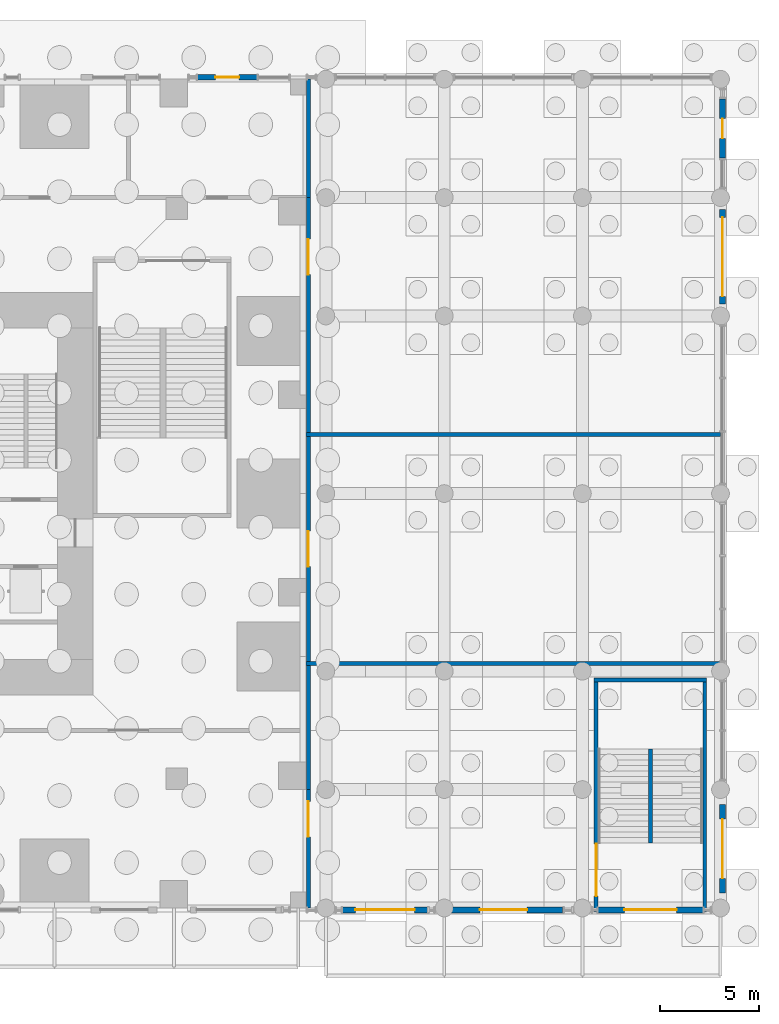
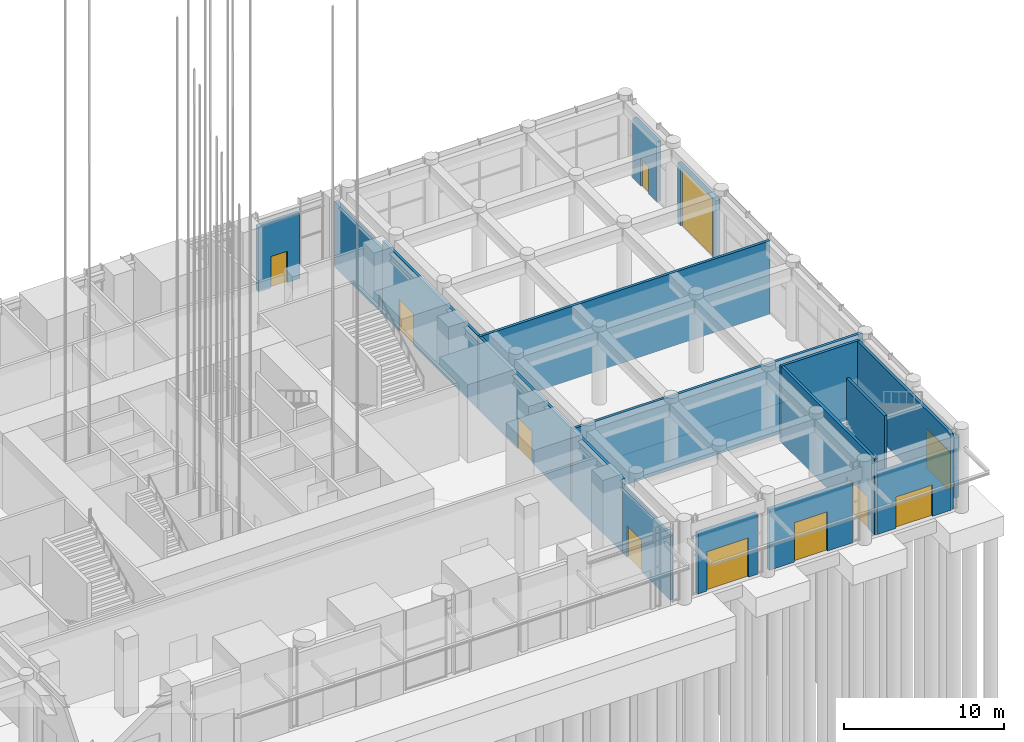
# One storey, part 25 of 46: 16 walls, 11 doors, 11 openings.
"""IFC4 building model written with IfcOpenShell, lengths in metres."""

from ifc_helpers import new_model, si_unit, direction, frame, frame_2d, origin, place, context, subcontext, project, spatial, rectangle, extrude, material, layer, layer_set, type_object, element, fill, save


model = new_model("IFC4")

# Units and contexts
model_context = context("Model", 3, precision=1e-05, world=origin(), true_north=direction((0.0, 1.0)))
body_context = subcontext(model_context, "Body", "Model", "MODEL_VIEW")
ifc_project = project(units=[si_unit("LENGTHUNIT", "METRE"), si_unit("AREAUNIT", "SQUARE_METRE"), si_unit("VOLUMEUNIT", "CUBIC_METRE"), si_unit("PLANEANGLEUNIT", "RADIAN"), si_unit("MASSUNIT", "GRAM", prefix="KILO")], contexts=[model_context])

# Site, building, storey
site_placement = place(None, origin())
site = spatial("IfcSite", under=ifc_project, at=site_placement, CompositionType="ELEMENT")
building_placement = place(site_placement, origin())
building = spatial("IfcBuilding", under=site, at=building_placement, Name="Svetlomir Tower", CompositionType="ELEMENT")
storey_placement = place(building_placement, origin())
storey = spatial("IfcBuildingStorey", under=building, at=storey_placement, Name="L00", CompositionType="ELEMENT", Elevation=0.0)

# Walls
ifc_material_1 = material(Name="Gypsum board on twin steel studs", Category="steel")
ifc_layer_1 = layer(ifc_material_1, 0.199951171875)
ifc_layer_set_1 = layer_set([ifc_layer_1], Name="Gypsum board on twin steel studs")
wall_type_1 = type_object("IfcWallType", Name="ACOUSTIC PARTITION 200", PredefinedType="PARTITIONING", material=ifc_layer_set_1)
for number, where, z_axis, x_axis, name in (
    (1, (42.0, 12.39990234375, 0.0), (0.0, 0.0, 1.0), (1.0, 0.0, 0.0), "Partition L00"),
    (2, (42.0, 24.0, 0.0), (0.0, 0.0, 1.0), (1.0, 0.0, 0.0), "Partition L00"),
):
    element("IfcWall", number, at=place(storey_placement, frame(where, z_axis=z_axis, x_axis=x_axis)), inside=storey, type_object=wall_type_1, Name=name, PredefinedType="PARTITIONING", context=body_context, shape_type="SweptSolid", body=[
        extrude(rectangle(XDim=21.0, YDim=0.199951171875, at=frame_2d((10.5, 0.0))), origin(), (0.0, 0.0, 1.0), 5.60009765625),
    ])

# Wall, opening, door
ifc_material_2 = material(Name="Bronze anodised aluminium glazed screen", Category="aluminium")
ifc_layer_2 = layer(ifc_material_2, 0.300048828125)
ifc_layer_set_2 = layer_set([ifc_layer_2], Name="Bronze anodised aluminium glazed screen")
wall_type_2 = type_object("IfcWallType", Name="ENTRANCE SCREEN WALL 300", PredefinedType="USERDEFINED", material=ifc_layer_set_2)
wall_1_placement = place(storey_placement, frame((43.85009765625, -0.10009765625, 0.0), z_axis=(0.0, 0.0, 1.0), x_axis=(1.0, 0.0, 0.0)))
wall_1 = element("IfcWall", 3, at=wall_1_placement, inside=storey, type_object=wall_type_2, Name="Concourse south exit 6", ObjectType="GLAZED SCREEN", PredefinedType="USERDEFINED", context=body_context, shape_type="SweptSolid", body=[
    extrude(rectangle(XDim=4.2998046875, YDim=0.300048828125, at=frame_2d((2.14990234375, 0.0))), origin(), (0.0, 0.0, 1.0), 4.60009765625),
])
opening_1_placement = place(wall_1_placement, frame((0.64990234375, 0.0, 0.0)))
opening_1 = element("IfcOpeningElement", 4, at=opening_1_placement, cuts=wall_1, Name="Opening ES", PredefinedType="OPENING", context=body_context, shape_type="SweptSolid", body=[
    extrude(rectangle(XDim=3.0, YDim=3.0, at=frame_2d((1.5, 1.5))), frame((0.0, 0.16015625, 0.0), z_axis=(0.0, -1.0, 0.0), x_axis=(1.0, 0.0, 0.0)), (0.0, 0.0, 1.0), 0.320068359375),
])
ifc_material_3 = material(Name="Bronze anodised aluminium glazed door", Category="aluminium")
door_type_1 = type_object("IfcDoorType", Name="SLIDING ENTRANCE DOOR ES 3000x3000", OperationType="DOUBLE_DOOR_SLIDING", PredefinedType="DOOR", material=ifc_material_3)
door_1_placement = place(opening_1_placement, origin())
door_1 = element("IfcDoor", 5, at=door_1_placement, inside=storey, type_object=door_type_1, Name="Concourse south exit 6 door", OperationType="DOUBLE_DOOR_SLIDING", OverallHeight=3.0, OverallWidth=3.0, PredefinedType="DOOR", context=body_context, shape_type="SweptSolid", body=[
    extrude(rectangle(XDim=3.0, YDim=3.0, at=frame_2d((1.5, 1.5))), frame((0.0, 0.02490234375, 0.0), z_axis=(0.0, -1.0, 0.0), x_axis=(1.0, 0.0, 0.0)), (0.0, 0.0, 1.0), 0.050048828125),
])
fill(opening_1, door_1)

wall_2_placement = place(storey_placement, frame((49.0, -0.10009765625, 0.0), z_axis=(0.0, 0.0, 1.0), x_axis=(1.0, 0.0, 0.0)))
wall_2 = element("IfcWall", 6, at=wall_2_placement, inside=storey, type_object=wall_type_2, Name="Concourse south entrance east", ObjectType="GLAZED SCREEN", PredefinedType="USERDEFINED", context=body_context, shape_type="SweptSolid", body=[
    extrude(rectangle(XDim=6.0, YDim=0.300048828125, at=frame_2d((3.0, 0.0))), origin(), (0.0, 0.0, 1.0), 4.60009765625),
])
opening_2_placement = place(wall_2_placement, frame((1.800048828125, 0.0, 0.0)))
opening_2 = element("IfcOpeningElement", 7, at=opening_2_placement, cuts=wall_2, Name="Opening ED", PredefinedType="OPENING", context=body_context, shape_type="SweptSolid", body=[
    extrude(rectangle(XDim=2.39990234375, YDim=3.0, at=frame_2d((1.199951171875, 1.5))), frame((0.0, 0.16015625, 0.0), z_axis=(0.0, -1.0, 0.0), x_axis=(1.0, 0.0, 0.0)), (0.0, 0.0, 1.0), 0.320068359375),
])
ifc_material_4 = material(Name="Bronze anodised aluminium glazed door", Category="aluminium")
door_type_2 = type_object("IfcDoorType", Name="ENTRANCE DOOR ED 2400x3000", OperationType="DOUBLE_DOOR_SLIDING", PredefinedType="DOOR", material=ifc_material_4)
door_2_placement = place(opening_2_placement, origin())
door_2 = element("IfcDoor", 8, at=door_2_placement, inside=storey, type_object=door_type_2, Name="Concourse south entrance east door", OperationType="DOUBLE_DOOR_SLIDING", OverallHeight=3.0, OverallWidth=2.39990234375, PredefinedType="DOOR", context=body_context, shape_type="SweptSolid", body=[
    extrude(rectangle(XDim=2.39990234375, YDim=3.0, at=frame_2d((1.199951171875, 1.5))), frame((0.0, 0.02490234375, 0.0), z_axis=(0.0, -1.0, 0.0), x_axis=(1.0, 0.0, 0.0)), (0.0, 0.0, 1.0), 0.050048828125),
])
fill(opening_2, door_2)

wall_3_placement = place(storey_placement, frame((62.10009765625, -0.10009765625, 0.0), z_axis=(0.0, 0.0, 1.0), x_axis=(-1.0, 0.0, 0.0)))
wall_3 = element("IfcWall", 9, at=wall_3_placement, inside=storey, type_object=wall_type_2, Name="Stair P4 exit", ObjectType="GLAZED SCREEN", PredefinedType="USERDEFINED", context=body_context, shape_type="SweptSolid", body=[
    extrude(rectangle(XDim=5.300048828125, YDim=0.300048828125, at=frame_2d((2.64990234375, 0.0))), origin(), (0.0, 0.0, 1.0), 4.60009765625),
])
opening_3_placement = place(wall_3_placement, frame((1.324951171875, 0.0, 0.0)))
opening_3 = element("IfcOpeningElement", 10, at=opening_3_placement, cuts=wall_3, Name="Opening XS", PredefinedType="OPENING", context=body_context, shape_type="SweptSolid", body=[
    extrude(rectangle(XDim=2.64990234375, YDim=2.39990234375, at=frame_2d((1.324951171875, 1.199951171875))), frame((0.0, 0.16015625, 0.0), z_axis=(0.0, -1.0, 0.0), x_axis=(1.0, 0.0, 0.0)), (0.0, 0.0, 1.0), 0.320068359375),
])
ifc_material_5 = material(Name="Steel fire exit door", Category="steel")
door_type_3 = type_object("IfcDoorType", Name="STAIR EXIT DOOR XS 2650x2400", OperationType="DOUBLE_DOOR_SINGLE_SWING", PredefinedType="DOOR", material=ifc_material_5)
door_3_placement = place(opening_3_placement, origin())
door_3 = element("IfcDoor", 11, at=door_3_placement, inside=storey, type_object=door_type_3, Name="Stair P4 exit door", OperationType="DOUBLE_DOOR_SINGLE_SWING", OverallHeight=2.39990234375, OverallWidth=2.64990234375, PredefinedType="DOOR", context=body_context, shape_type="SweptSolid", body=[
    extrude(rectangle(XDim=2.64990234375, YDim=2.39990234375, at=frame_2d((1.324951171875, 1.199951171875))), frame((0.0, 0.02490234375, 0.0), z_axis=(0.0, -1.0, 0.0), x_axis=(1.0, 0.0, 0.0)), (0.0, 0.0, 1.0), 0.050048828125),
])
fill(opening_3, door_3)

wall_4_placement = place(storey_placement, frame((63.10009765625, 0.75, 0.0), z_axis=(0.0, 0.0, 1.0), x_axis=(0.0, 1.0, 0.0)))
wall_4 = element("IfcWall", 12, at=wall_4_placement, inside=storey, type_object=wall_type_2, Name="Concourse east entrance", ObjectType="GLAZED SCREEN", PredefinedType="USERDEFINED", context=body_context, shape_type="SweptSolid", body=[
    extrude(rectangle(XDim=4.5, YDim=0.300048828125, at=frame_2d((2.25, 0.0))), origin(), (0.0, 0.0, 1.0), 4.60009765625),
])
opening_4_placement = place(wall_4_placement, frame((0.75, 0.0, 0.0)))
opening_4 = element("IfcOpeningElement", 13, at=opening_4_placement, cuts=wall_4, Name="Opening ES", PredefinedType="OPENING", context=body_context, shape_type="SweptSolid", body=[
    extrude(rectangle(XDim=3.0, YDim=3.0, at=frame_2d((1.5, 1.5))), frame((0.0, 0.16015625, 0.0), z_axis=(0.0, -1.0, 0.0), x_axis=(1.0, 0.0, 0.0)), (0.0, 0.0, 1.0), 0.320068359375),
])
door_4_placement = place(opening_4_placement, origin())
door_4 = element("IfcDoor", 14, at=door_4_placement, inside=storey, type_object=door_type_1, Name="Concourse east entrance door", OperationType="DOUBLE_DOOR_SLIDING", OverallHeight=3.0, OverallWidth=3.0, PredefinedType="DOOR", context=body_context, shape_type="SweptSolid", body=[
    extrude(rectangle(XDim=3.0, YDim=3.0, at=frame_2d((1.5, 1.5))), frame((0.0, 0.02490234375, 0.0), z_axis=(0.0, -1.0, 0.0), x_axis=(1.0, 0.0, 0.0)), (0.0, 0.0, 1.0), 0.050048828125),
])
fill(opening_4, door_4)

wall_5_placement = place(storey_placement, frame((63.10009765625, 30.60009765625, 0.0), z_axis=(0.0, 0.0, 1.0), x_axis=(0.0, 1.0, 0.0)))
wall_5 = element("IfcWall", 15, at=wall_5_placement, inside=storey, type_object=wall_type_2, Name="Loading bay shutter", ObjectType="GLAZED SCREEN", PredefinedType="USERDEFINED", context=body_context, shape_type="SweptSolid", body=[
    extrude(rectangle(XDim=4.7998046875, YDim=0.300048828125, at=frame_2d((2.39990234375, 0.0))), origin(), (0.0, 0.0, 1.0), 4.60009765625),
])
opening_5_placement = place(wall_5_placement, frame((0.39990234375, 0.0, 0.0)))
opening_5 = element("IfcOpeningElement", 16, at=opening_5_placement, cuts=wall_5, Name="Opening RS", PredefinedType="OPENING", context=body_context, shape_type="SweptSolid", body=[
    extrude(rectangle(XDim=4.0, YDim=4.5, at=frame_2d((2.0, 2.25))), frame((0.0, 0.16015625, 0.0), z_axis=(0.0, -1.0, 0.0), x_axis=(1.0, 0.0, 0.0)), (0.0, 0.0, 1.0), 0.320068359375),
])
ifc_material_6 = material(Name="Steel roller shutter", Category="steel")
door_type_4 = type_object("IfcDoorType", Name="ROLLER SHUTTER RS 4000x4500", OperationType="ROLLINGUP", PredefinedType="GATE", material=ifc_material_6)
door_5_placement = place(opening_5_placement, origin())
door_5 = element("IfcDoor", 17, at=door_5_placement, inside=storey, type_object=door_type_4, Name="Loading bay shutter door", OperationType="ROLLINGUP", OverallHeight=4.5, OverallWidth=4.0, PredefinedType="GATE", context=body_context, shape_type="SweptSolid", body=[
    extrude(rectangle(XDim=4.0, YDim=4.5, at=frame_2d((2.0, 2.25))), frame((0.0, 0.02490234375, 0.0), z_axis=(0.0, -1.0, 0.0), x_axis=(1.0, 0.0, 0.0)), (0.0, 0.0, 1.0), 0.050048828125),
])
fill(opening_5, door_5)

wall_6_placement = place(storey_placement, frame((63.10009765625, 38.0, 0.0), z_axis=(0.0, 0.0, 1.0), x_axis=(0.0, 1.0, 0.0)))
wall_6 = element("IfcWall", 18, at=wall_6_placement, inside=storey, type_object=wall_type_2, Name="Loading bay pass door", ObjectType="GLAZED SCREEN", PredefinedType="USERDEFINED", context=body_context, shape_type="SweptSolid", body=[
    extrude(rectangle(XDim=3.0, YDim=0.300048828125, at=frame_2d((1.5, 0.0))), origin(), (0.0, 0.0, 1.0), 4.60009765625),
])
opening_6_placement = place(wall_6_placement, frame((1.0, 0.0, 0.0)))
opening_6 = element("IfcOpeningElement", 19, at=opening_6_placement, cuts=wall_6, Name="Opening XP", PredefinedType="OPENING", context=body_context, shape_type="SweptSolid", body=[
    extrude(rectangle(XDim=1.0, YDim=2.10009765625, at=frame_2d((0.5, 1.050048828125))), frame((0.0, 0.16015625, 0.0), z_axis=(0.0, -1.0, 0.0), x_axis=(1.0, 0.0, 0.0)), (0.0, 0.0, 1.0), 0.320068359375),
])
ifc_material_7 = material(Name="Steel personnel door", Category="steel")
door_type_5 = type_object("IfcDoorType", Name="PASS DOOR XP 1000x2100", OperationType="SINGLE_SWING_LEFT", PredefinedType="DOOR", material=ifc_material_7)
door_6_placement = place(opening_6_placement, origin())
door_6 = element("IfcDoor", 20, at=door_6_placement, inside=storey, type_object=door_type_5, Name="Loading bay pass door", OperationType="SINGLE_SWING_LEFT", OverallHeight=2.10009765625, OverallWidth=1.0, PredefinedType="DOOR", context=body_context, shape_type="SweptSolid", body=[
    extrude(rectangle(XDim=1.0, YDim=2.10009765625, at=frame_2d((0.5, 1.050048828125))), frame((0.0, 0.02490234375, 0.0), z_axis=(0.0, -1.0, 0.0), x_axis=(1.0, 0.0, 0.0)), (0.0, 0.0, 1.0), 0.050048828125),
])
fill(opening_6, door_6)

wall_7_placement = place(storey_placement, frame((39.5, 42.10009765625, 0.0), z_axis=(0.0, 0.0, 1.0), x_axis=(-1.0, 0.0, 0.0)))
wall_7 = element("IfcWall", 21, at=wall_7_placement, inside=storey, type_object=wall_type_2, Name="Bicycle store door", ObjectType="GLAZED SCREEN", PredefinedType="USERDEFINED", context=body_context, shape_type="SweptSolid", body=[
    extrude(rectangle(XDim=3.0, YDim=0.300048828125, at=frame_2d((1.5, 0.0))), origin(), (0.0, 0.0, 1.0), 4.97998046875),
])
opening_7_placement = place(wall_7_placement, frame((0.89990234375, 0.0, 0.0)))
opening_7 = element("IfcOpeningElement", 22, at=opening_7_placement, cuts=wall_7, Name="Opening XD", PredefinedType="OPENING", context=body_context, shape_type="SweptSolid", body=[
    extrude(rectangle(XDim=1.199951171875, YDim=2.39990234375, at=frame_2d((0.60009765625, 1.199951171875))), frame((0.0, 0.16015625, 0.0), z_axis=(0.0, -1.0, 0.0), x_axis=(1.0, 0.0, 0.0)), (0.0, 0.0, 1.0), 0.320068359375),
])
ifc_material_8 = material(Name="Steel external door", Category="steel")
door_type_6 = type_object("IfcDoorType", Name="EXTERNAL DOOR XD 1200x2400", OperationType="SINGLE_SWING_LEFT", PredefinedType="DOOR", material=ifc_material_8)
door_7_placement = place(opening_7_placement, origin())
door_7 = element("IfcDoor", 23, at=door_7_placement, inside=storey, type_object=door_type_6, Name="Bicycle store door", OperationType="SINGLE_SWING_LEFT", OverallHeight=2.39990234375, OverallWidth=1.199951171875, PredefinedType="DOOR", context=body_context, shape_type="SweptSolid", body=[
    extrude(rectangle(XDim=1.199951171875, YDim=2.39990234375, at=frame_2d((0.60009765625, 1.199951171875))), frame((0.0, 0.02490234375, 0.0), z_axis=(0.0, -1.0, 0.0), x_axis=(1.0, 0.0, 0.0)), (0.0, 0.0, 1.0), 0.050048828125),
])
fill(opening_7, door_7)

ifc_material_9 = material(Name="Reinforced blockwork fire wall", Category="masonry")
ifc_layer_3 = layer(ifc_material_9, 0.199951171875)
ifc_layer_set_3 = layer_set([ifc_layer_3], Name="Reinforced blockwork fire wall")
wall_type_3 = type_object("IfcWallType", Name="FIRE WALL 200", PredefinedType="PARTITIONING", material=ifc_layer_set_3)
wall_8_placement = place(storey_placement, frame((42.110107421875, 0.0, 0.0), z_axis=(0.0, 0.0, 1.0), x_axis=(0.0, 1.0, 0.0)))
wall_8 = element("IfcWall", 24, at=wall_8_placement, inside=storey, type_object=wall_type_3, Name="Fire wall L00", PredefinedType="PARTITIONING", context=body_context, shape_type="SweptSolid", body=[
    extrude(rectangle(XDim=6.0, YDim=0.199951171875, at=frame_2d((3.0, 0.0))), origin(), (0.0, 0.0, 1.0), 4.97998046875),
])
opening_8_placement = place(wall_8_placement, frame((3.60009765625, 0.0, 0.0)))
opening_8 = element("IfcOpeningElement", 25, at=opening_8_placement, cuts=wall_8, Name="Opening FD120", PredefinedType="OPENING", context=body_context, shape_type="SweptSolid", body=[
    extrude(rectangle(XDim=1.800048828125, YDim=2.39990234375, at=frame_2d((0.89990234375, 1.199951171875))), frame((0.0, 0.10986328125, 0.0), z_axis=(0.0, -1.0, 0.0), x_axis=(1.0, 0.0, 0.0)), (0.0, 0.0, 1.0), 0.219970703125),
])
ifc_material_10 = material(Name="Self-closing steel fire door", Category="steel")
door_type_7 = type_object("IfcDoorType", Name="FIRE DOOR FD120 1800x2400", OperationType="DOUBLE_DOOR_SINGLE_SWING", PredefinedType="DOOR", material=ifc_material_10)
door_8_placement = place(opening_8_placement, origin())
door_8 = element("IfcDoor", 26, at=door_8_placement, inside=storey, type_object=door_type_7, Name="Fire wall door L00", OperationType="DOUBLE_DOOR_SINGLE_SWING", OverallHeight=2.39990234375, OverallWidth=1.800048828125, PredefinedType="DOOR", context=body_context, shape_type="SweptSolid", body=[
    extrude(rectangle(XDim=1.800048828125, YDim=2.39990234375, at=frame_2d((0.89990234375, 1.199951171875))), frame((0.0, 0.02490234375, 0.0), z_axis=(0.0, -1.0, 0.0), x_axis=(1.0, 0.0, 0.0)), (0.0, 0.0, 1.0), 0.050048828125),
])
fill(opening_8, door_8)

# Wall, openings, doors
wall_9_placement = place(storey_placement, frame((42.110107421875, 6.0, 0.0), z_axis=(0.0, 0.0, 1.0), x_axis=(0.0, 1.0, 0.0)))
wall_9 = element("IfcWall", 27, at=wall_9_placement, inside=storey, type_object=wall_type_3, Name="Fire wall L00", PredefinedType="PARTITIONING", context=body_context, shape_type="SweptSolid", body=[
    extrude(rectangle(XDim=30.0, YDim=0.199951171875, at=frame_2d((15.0, 0.0))), origin(), (0.0, 0.0, 1.0), 5.60009765625),
])
opening_9_placement = place(wall_9_placement, frame((11.300048828125, 0.0, 0.0)))
opening_9 = element("IfcOpeningElement", 28, at=opening_9_placement, cuts=wall_9, Name="Opening FD120", PredefinedType="OPENING", context=body_context, shape_type="SweptSolid", body=[
    extrude(rectangle(XDim=1.800048828125, YDim=2.39990234375, at=frame_2d((0.89990234375, 1.199951171875))), frame((0.0, 0.10986328125, 0.0), z_axis=(0.0, -1.0, 0.0), x_axis=(1.0, 0.0, 0.0)), (0.0, 0.0, 1.0), 0.219970703125),
])
opening_10_placement = place(wall_9_placement, frame((26.10009765625, 0.0, 0.0)))
opening_10 = element("IfcOpeningElement", 29, at=opening_10_placement, cuts=wall_9, Name="Opening FD120", PredefinedType="OPENING", context=body_context, shape_type="SweptSolid", body=[
    extrude(rectangle(XDim=1.800048828125, YDim=2.39990234375, at=frame_2d((0.89990234375, 1.199951171875))), frame((0.0, 0.10986328125, 0.0), z_axis=(0.0, -1.0, 0.0), x_axis=(1.0, 0.0, 0.0)), (0.0, 0.0, 1.0), 0.219970703125),
])
door_9_placement = place(opening_9_placement, origin())
door_9 = element("IfcDoor", 30, at=door_9_placement, inside=storey, type_object=door_type_7, Name="Exhibition gallery fire door L00", OperationType="DOUBLE_DOOR_SINGLE_SWING", OverallHeight=2.39990234375, OverallWidth=1.800048828125, PredefinedType="DOOR", context=body_context, shape_type="SweptSolid", body=[
    extrude(rectangle(XDim=1.800048828125, YDim=2.39990234375, at=frame_2d((0.89990234375, 1.199951171875))), frame((0.0, 0.02490234375, 0.0), z_axis=(0.0, -1.0, 0.0), x_axis=(1.0, 0.0, 0.0)), (0.0, 0.0, 1.0), 0.050048828125),
])
fill(opening_9, door_9)
door_10_placement = place(opening_10_placement, origin())
door_10 = element("IfcDoor", 31, at=door_10_placement, inside=storey, type_object=door_type_7, Name="Loading bay fire door L00", OperationType="DOUBLE_DOOR_SINGLE_SWING", OverallHeight=2.39990234375, OverallWidth=1.800048828125, PredefinedType="DOOR", context=body_context, shape_type="SweptSolid", body=[
    extrude(rectangle(XDim=1.800048828125, YDim=2.39990234375, at=frame_2d((0.89990234375, 1.199951171875))), frame((0.0, 0.02490234375, 0.0), z_axis=(0.0, -1.0, 0.0), x_axis=(1.0, 0.0, 0.0)), (0.0, 0.0, 1.0), 0.050048828125),
])
fill(opening_10, door_10)

# Walls
wall_10_placement = place(storey_placement, frame((42.110107421875, 36.0, 0.0), z_axis=(0.0, 0.0, 1.0), x_axis=(0.0, 1.0, 0.0)))
element("IfcWall", 32, at=wall_10_placement, inside=storey, type_object=wall_type_3, Name="Fire wall L00", PredefinedType="PARTITIONING", context=body_context, shape_type="SweptSolid", body=[
    extrude(rectangle(XDim=6.0, YDim=0.199951171875, at=frame_2d((3.0, 0.0))), origin(), (0.0, 0.0, 1.0), 4.97998046875),
])
ifc_material_11 = material(Name="Concrete C60/75", Category="concrete")
ifc_layer_4 = layer(ifc_material_11, 0.199951171875)
ifc_layer_set_4 = layer_set([ifc_layer_4], Name="Concrete C60/75")
wall_type_4 = type_object("IfcWallType", Name="STAIR CORE WALL RC 200", PredefinedType="SOLIDWALL", material=ifc_layer_set_4)
wall_11_placement = place(storey_placement, frame((62.199951171875, -0.199951171875, 0.0), z_axis=(0.0, 0.0, 1.0), x_axis=(0.0, 1.0, 0.0)))
element("IfcWall", 33, at=wall_11_placement, inside=storey, type_object=wall_type_4, Name="Stair P4 enclosure wall L00", PredefinedType="SOLIDWALL", context=body_context, shape_type="SweptSolid", body=[
    extrude(rectangle(XDim=11.849853515625, YDim=0.199951171875, at=frame_2d((5.9248046875, 0.0))), origin(), (0.0, 0.0, 1.0), 5.800048828125),
])
wall_12_placement = place(storey_placement, frame((62.300048828125, 11.550048828125, 0.0), z_axis=(0.0, 0.0, 1.0), x_axis=(-1.0, 0.0, 0.0)))
element("IfcWall", 34, at=wall_12_placement, inside=storey, type_object=wall_type_4, Name="Stair P4 enclosure wall L00", PredefinedType="SOLIDWALL", context=body_context, shape_type="SweptSolid", body=[
    extrude(rectangle(XDim=5.699951171875, YDim=0.199951171875, at=frame_2d((2.85009765625, 0.0))), origin(), (0.0, 0.0, 1.0), 5.800048828125),
])

# Wall, opening, door
wall_13_placement = place(storey_placement, frame((56.699951171875, 11.64990234375, 0.0), z_axis=(0.0, 0.0, 1.0), x_axis=(0.0, -1.0, 0.0)))
wall_13 = element("IfcWall", 35, at=wall_13_placement, inside=storey, type_object=wall_type_4, Name="Stair P4 enclosure wall L00", PredefinedType="SOLIDWALL", context=body_context, shape_type="SweptSolid", body=[
    extrude(rectangle(XDim=11.849853515625, YDim=0.199951171875, at=frame_2d((5.9248046875, 0.0))), origin(), (0.0, 0.0, 1.0), 5.800048828125),
])
opening_11_placement = place(wall_13_placement, frame((8.39990234375, 0.0, 0.0)))
opening_11 = element("IfcOpeningElement", 36, at=opening_11_placement, cuts=wall_13, Name="Opening DS26", PredefinedType="OPENING", context=body_context, shape_type="SweptSolid", body=[
    extrude(rectangle(XDim=2.64990234375, YDim=2.39990234375, at=frame_2d((1.324951171875, 1.199951171875))), frame((0.0, 0.10986328125, 0.0), z_axis=(0.0, -1.0, 0.0), x_axis=(1.0, 0.0, 0.0)), (0.0, 0.0, 1.0), 0.219970703125),
])
ifc_material_12 = material(Name="Steel fire door", Category="steel")
door_type_8 = type_object("IfcDoorType", Name="STAIR DOUBLE DOOR DS 2650x2400", OperationType="DOUBLE_DOOR_SINGLE_SWING", PredefinedType="DOOR", material=ifc_material_12)
door_11_placement = place(opening_11_placement, origin())
door_11 = element("IfcDoor", 37, at=door_11_placement, inside=storey, type_object=door_type_8, Name="Stair P4 door L00", OperationType="DOUBLE_DOOR_SINGLE_SWING", OverallHeight=2.39990234375, OverallWidth=2.64990234375, PredefinedType="DOOR", context=body_context, shape_type="SweptSolid", body=[
    extrude(rectangle(XDim=2.64990234375, YDim=2.39990234375, at=frame_2d((1.324951171875, 1.199951171875))), frame((0.0, 0.02490234375, 0.0), z_axis=(0.0, -1.0, 0.0), x_axis=(1.0, 0.0, 0.0)), (0.0, 0.0, 1.0), 0.050048828125),
])
fill(opening_11, door_11)

# Wall
ifc_material_13 = material(Name="Concrete C60/75", Category="concrete")
ifc_layer_5 = layer(ifc_material_13, 0.199951171875)
ifc_layer_set_5 = layer_set([ifc_layer_5], Name="Concrete C60/75")
wall_type_5 = type_object("IfcWallType", Name="STAIR SPINE WALL 200", PredefinedType="PARTITIONING", material=ifc_layer_set_5)
wall_14_placement = place(storey_placement, frame((59.449951171875, 3.300048828125, 0.0), z_axis=(0.0, 0.0, 1.0), x_axis=(0.0, 1.0, 0.0)))
element("IfcWall", 38, at=wall_14_placement, inside=storey, type_object=wall_type_5, Name="Stair P4 spine wall L00", PredefinedType="PARTITIONING", context=body_context, shape_type="SweptSolid", body=[
    extrude(rectangle(XDim=4.760009765625, YDim=0.199951171875, at=frame_2d((2.3798828125, 0.0))), origin(), (0.0, 0.0, 1.0), 6.0),
])

save(model, "model.ifc")
